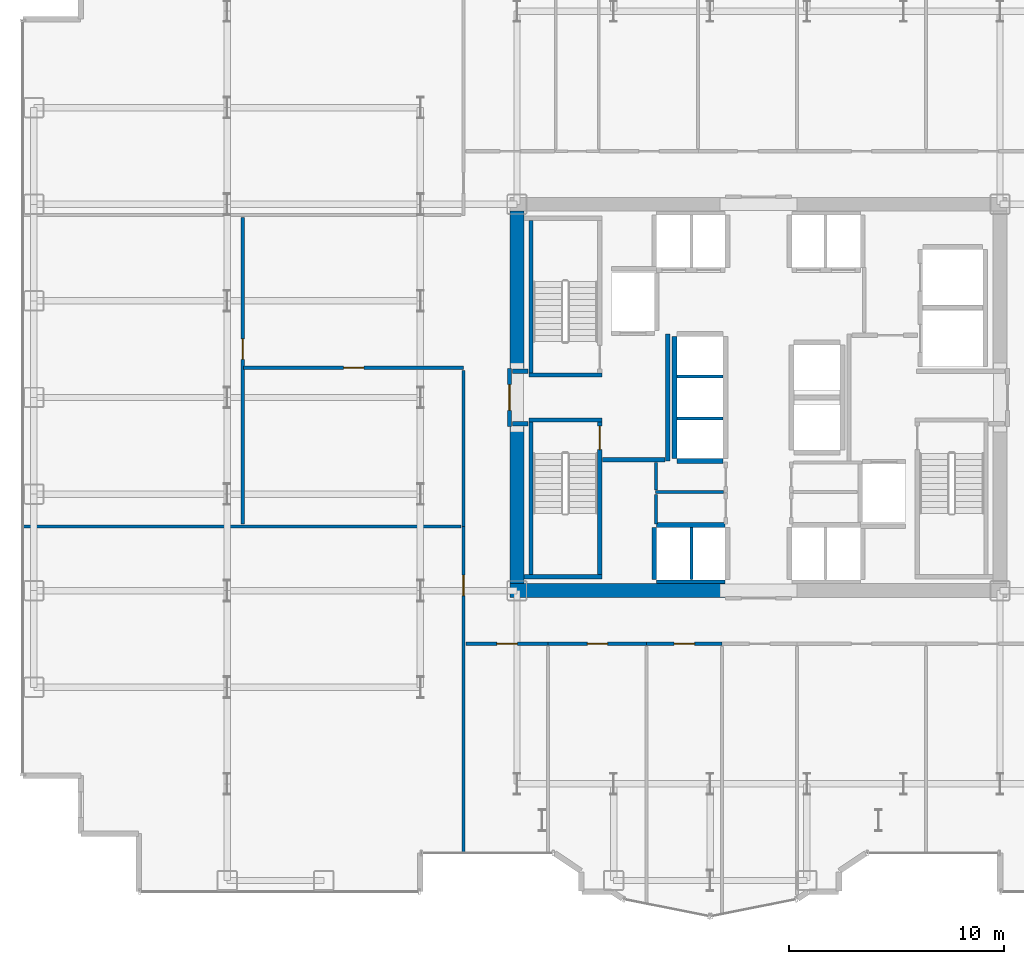
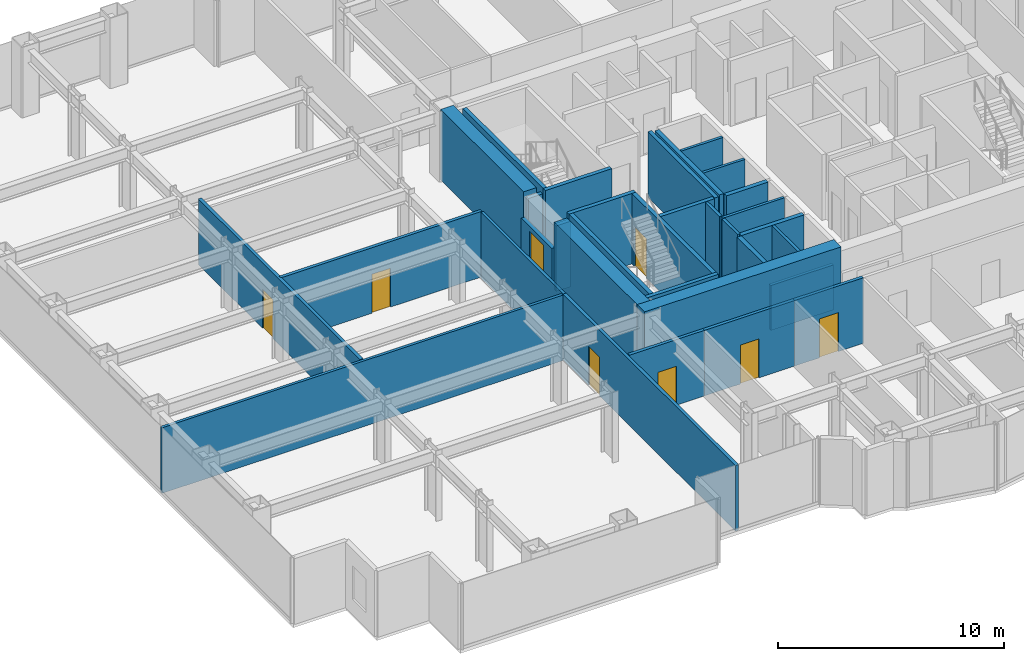
# One storey, part 20 of 26: 33 walls, 8 doors, 8 openings.
"""IFC4 building model written with IfcOpenShell, lengths in metres."""

import ifcopenshell
import ifcopenshell.guid

model = None  # the IFC model being written
_history = None  # IfcOwnerHistory: only IFC2X3 demands one
_inside = {}  # id of a spatial element -> (the spatial element, [elements in it])
_under = {}  # id of a project, library or spatial element -> (it, [spatial elements below it])
_declared = {}  # id of a project -> (the project, [libraries it declares])
_typed = {}  # id of a type object -> (the type object, [elements of that type])
_made_of = {}  # id of a material, layer set ... -> (it, [elements and type objects made of it])


def new_model(schema):
    """Start an empty IFC model of exactly this schema.

    Asked for "IFC4X3", IfcOpenShell would pick the latest addendum, in which some entities
    have other attributes; the version numbers below select the first issue.
    IFC2X3 requires an IfcOwnerHistory on every rooted entity: one is made here for all.
    """
    global model, _history
    if schema == "IFC4X3":
        model = ifcopenshell.file(schema_version=(4, 3, 0, 0))
    else:
        model = ifcopenshell.file(schema=schema)
    _inside.clear()
    _under.clear()
    _declared.clear()
    _typed.clear()
    _made_of.clear()
    _history = None
    if model.schema == "IFC2X3":
        org = make("IfcOrganization", Name="unknown")
        user = make(
            "IfcPersonAndOrganization",
            ThePerson=make("IfcPerson", FamilyName="unknown"),
            TheOrganization=org,
        )
        app = make(
            "IfcApplication",
            ApplicationDeveloper=org,
            Version="unknown",
            ApplicationFullName="unknown",
            ApplicationIdentifier="unknown",
        )
        _history = make(
            "IfcOwnerHistory",
            OwningUser=user,
            OwningApplication=app,
            ChangeAction="ADDED",
            CreationDate=0,
        )
    return model


def make(cls, **values):
    """One entity of the class cls with the attributes given. An attribute that is None is left unset."""
    return model.create_entity(
        cls, **{name: value for name, value in values.items() if value is not None}
    )


def rooted(cls, **values):
    """An entity with a GlobalId (a new one), such as an element, a storey or a relation."""
    return make(cls, GlobalId=ifcopenshell.guid.new(), OwnerHistory=_history, **values)


def si_unit(unit_type, name, prefix=None):
    """IfcSIUnit, for example si_unit("LENGTHUNIT", "METRE", prefix="MILLI")."""
    return make("IfcSIUnit", UnitType=unit_type, Prefix=prefix, Name=name)


def assignment(units):
    """IfcUnitAssignment: the units of a project."""
    return None if units is None else make("IfcUnitAssignment", Units=units)


def point(xyz):
    """IfcCartesianPoint."""
    return None if xyz is None else make("IfcCartesianPoint", Coordinates=xyz)


def direction(xyz):
    """IfcDirection."""
    return None if xyz is None else make("IfcDirection", DirectionRatios=xyz)


def frame(location, z_axis=None, x_axis=None):
    """IfcAxis2Placement3D, a coordinate frame: its origin and axes. An axis left out is left unset."""
    return make(
        "IfcAxis2Placement3D",
        Location=point(location),
        Axis=direction(z_axis),
        RefDirection=direction(x_axis),
    )


def frame_2d(location, x_axis=None):
    """IfcAxis2Placement2D, a coordinate frame in the plane: its origin and x axis."""
    return make(
        "IfcAxis2Placement2D", Location=point(location), RefDirection=direction(x_axis)
    )


def origin():
    """The frame at (0, 0, 0) with its axes left unset."""
    return frame((0.0, 0.0, 0.0))


def place(relative_to, where):
    """IfcLocalPlacement: puts the frame where relative to a parent placement (None: the world)."""
    return make(
        "IfcLocalPlacement", PlacementRelTo=relative_to, RelativePlacement=where
    )


def context(
    kind, dimensions, precision=None, world=None, true_north=None, identifier=None
):
    """IfcGeometricRepresentationContext, for example the 3D "Model" context."""
    return make(
        "IfcGeometricRepresentationContext",
        ContextIdentifier=identifier,
        ContextType=kind,
        CoordinateSpaceDimension=dimensions,
        Precision=precision,
        WorldCoordinateSystem=world,
        TrueNorth=true_north,
    )


def subcontext(parent, identifier, kind, view, scale=None):
    """IfcGeometricRepresentationSubContext, for example "Body" below "Model"."""
    return make(
        "IfcGeometricRepresentationSubContext",
        ContextIdentifier=identifier,
        ContextType=kind,
        ParentContext=parent,
        TargetScale=scale,
        TargetView=view,
    )


def project(units=None, contexts=None):
    """IfcProject with its units and contexts."""
    return rooted(
        "IfcProject",
        Name="project",
        RepresentationContexts=contexts,
        UnitsInContext=assignment(units),
    )


def spatial(cls, under=None, at=None, **own):
    """A site, building, storey or space (cls), placed at a placement, below another one or the project."""
    s = rooted(cls, ObjectPlacement=at, **own)
    if under is not None:
        _under.setdefault(under.id(), (under, []))[1].append(s)
    return s


def profile(cls, at=None, kind="AREA", **sizes):
    """A parametric profile (cls). Its sizes go by their IFC names, for example OverallWidth=200.0."""
    return make(cls, ProfileType=kind, Position=at, **sizes)


def rectangle(**sizes):
    """IfcRectangleProfileDef."""
    return profile("IfcRectangleProfileDef", **sizes)


def extrude(swept, where, along, depth):
    """IfcExtrudedAreaSolid: the profile swept, set in the frame where, extruded along a direction by depth."""
    return make(
        "IfcExtrudedAreaSolid",
        SweptArea=swept,
        Position=where,
        ExtrudedDirection=direction(along),
        Depth=depth,
    )


def shape(context_of_items, identifier, shape_type, items):
    """IfcShapeRepresentation: the items that make up one representation, for example the "Body"."""
    return make(
        "IfcShapeRepresentation",
        ContextOfItems=context_of_items,
        RepresentationIdentifier=identifier,
        RepresentationType=shape_type,
        Items=items,
    )


def source(mapping_origin, context_of_items, identifier, shape_type, items):
    """IfcRepresentationMap: a shape defined once, which mapped items show again and again."""
    return make(
        "IfcRepresentationMap",
        MappingOrigin=mapping_origin,
        MappedRepresentation=shape(context_of_items, identifier, shape_type, items),
    )


def transform(
    local_origin,
    x_axis=None,
    y_axis=None,
    z_axis=None,
    scale=None,
    scale2=None,
    scale3=None,
    uniform=True,
):
    """IfcCartesianTransformationOperator3D, or its non-uniform kind. x_axis, y_axis, z_axis: its Axis1, 2, 3."""
    if uniform:
        return make(
            "IfcCartesianTransformationOperator3D",
            Axis1=direction(x_axis),
            Axis2=direction(y_axis),
            LocalOrigin=point(local_origin),
            Scale=scale,
            Axis3=direction(z_axis),
        )
    return make(
        "IfcCartesianTransformationOperator3DnonUniform",
        Axis1=direction(x_axis),
        Axis2=direction(y_axis),
        LocalOrigin=point(local_origin),
        Scale=scale,
        Axis3=direction(z_axis),
        Scale2=scale2,
        Scale3=scale3,
    )


def mapped(mapping_source, mapping_target):
    """IfcMappedItem: shows the shape of a source again, moved by a transform."""
    return make(
        "IfcMappedItem", MappingSource=mapping_source, MappingTarget=mapping_target
    )


def material(Name=None, Category=None):
    """IfcMaterial."""
    return make("IfcMaterial", Name=Name, Category=Category)


def layer(
    of_material, thickness, ventilated=None, Name=None, Category=None, Priority=None
):
    """IfcMaterialLayer: one layer of a wall or slab, of a material (None: an air gap)."""
    return make(
        "IfcMaterialLayer",
        Material=of_material,
        LayerThickness=thickness,
        IsVentilated=ventilated,
        Name=Name,
        Category=Category,
        Priority=Priority,
    )


def layer_set(layers, Name=None):
    """IfcMaterialLayerSet."""
    return make("IfcMaterialLayerSet", MaterialLayers=layers, LayerSetName=Name)


def made_of(thing, what):
    """Note that an element or type object is made of a material, layer set ...; save() writes the relation."""
    if what is not None:
        _made_of.setdefault(what.id(), (what, []))[1].append(thing)
    return thing


def type_object(cls, material=None, **own):
    """A type object (cls), such as IfcWallType, which elements share."""
    return made_of(rooted(cls, **own), material)


def element(
    cls,
    number,
    at=None,
    inside=None,
    cuts=None,
    type_object=None,
    material=None,
    context=None,
    identifier="Body",
    shape_type=None,
    held_by="IfcProductDefinitionShape",
    body=None,
    shapes=None,
    **own,
):
    """One element of the class cls, such as IfcWall. Its Tag is "e" and its number.

    at: its placement. inside: the storey or other place that contains it. cuts: it is an
    opening in that element (IfcRelVoidsElement). A single representation is given by context,
    identifier, shape_type and body (its items); several are given by shapes. held_by: the class
    of the entity that holds the representations. save() writes the other relations.
    """
    e = rooted(cls, Tag="e%d" % number, ObjectPlacement=at, **own)
    if body is not None:
        shapes = [shape(context, identifier, shape_type, body)]
    if shapes is not None:
        e.Representation = make(held_by, Representations=shapes)
    if inside is not None:
        _inside.setdefault(inside.id(), (inside, []))[1].append(e)
    if cuts is not None:
        rooted(
            "IfcRelVoidsElement", RelatingBuildingElement=cuts, RelatedOpeningElement=e
        )
    if type_object is not None:
        _typed.setdefault(type_object.id(), (type_object, []))[1].append(e)
    return made_of(e, material)


def fill(opening, filler):
    """IfcRelFillsElement: the door or window that sits in an opening."""
    return rooted(
        "IfcRelFillsElement",
        RelatingOpeningElement=opening,
        RelatedBuildingElement=filler,
    )


def aggregate(whole, parts):
    """IfcRelAggregates: a whole, such as a stair, and the parts it consists of."""
    return rooted("IfcRelAggregates", RelatingObject=whole, RelatedObjects=parts)


def save(model, path):
    """Write the relations noted so far, then the file.

    IfcRelAggregates (storeys below a building ...), IfcRelContainedInSpatialStructure (elements
    in a storey), IfcRelDefinesByType, IfcRelAssociatesMaterial and IfcRelDeclares: one each for
    every whole, place, type object, material and project.
    """
    for whole, parts in _under.values():
        aggregate(whole, parts)
    for where, things in _inside.values():
        rooted(
            "IfcRelContainedInSpatialStructure",
            RelatedElements=things,
            RelatingStructure=where,
        )
    for kind, things in _typed.values():
        rooted("IfcRelDefinesByType", RelatedObjects=things, RelatingType=kind)
    for what, things in _made_of.values():
        rooted("IfcRelAssociatesMaterial", RelatedObjects=things, RelatingMaterial=what)
    for by, libraries in _declared.values():
        rooted("IfcRelDeclares", RelatingContext=by, RelatedDefinitions=libraries)
    model.write(path)


model = new_model("IFC4")

# Units and contexts
model_context = context("Model", 3, precision=1e-05, world=origin(), true_north=direction((0.0, 1.0)))
body_context = subcontext(model_context, "Body", "Model", "MODEL_VIEW")
ifc_project = project(units=[si_unit("LENGTHUNIT", "METRE"), si_unit("AREAUNIT", "SQUARE_METRE"), si_unit("VOLUMEUNIT", "CUBIC_METRE"), si_unit("PLANEANGLEUNIT", "RADIAN"), si_unit("MASSUNIT", "GRAM", prefix="KILO")], contexts=[model_context])

# Site, building, storey
site_placement = place(None, origin())
site = spatial("IfcSite", under=ifc_project, at=site_placement, CompositionType="ELEMENT")
building_placement = place(site_placement, origin())
building = spatial("IfcBuilding", under=site, at=building_placement, Name="Nefas-Gora Pilgrimage Tower", CompositionType="ELEMENT")
storey_placement = place(building_placement, frame((0.0, 0.0, 59.60009765625)))
storey = spatial("IfcBuildingStorey", under=building, at=storey_placement, Name="L13", CompositionType="ELEMENT", Elevation=59.60009765625)

# Walls
ifc_material_1 = material(Name="Concrete C60/75", Category="concrete")
ifc_layer_1 = layer(ifc_material_1, 0.64990234375)
ifc_layer_set_1 = layer_set([ifc_layer_1], Name="Concrete C60/75")
wall_type_1 = type_object("IfcWallType", Name="SW-CORE-650", PredefinedType="SHEAR", material=ifc_layer_set_1)
shared_shape_1 = source(origin(), body_context, "Body", "SweptSolid", [
    extrude(rectangle(XDim=10.02490234375, YDim=0.64990234375, at=frame_2d((5.012451171875, 0.0))), origin(), (0.0, 0.0, 1.0), 3.7998046875),
])
wall_1_placement = place(storey_placement, frame((-11.574951171875, -9.0, 0.0), z_axis=(0.0, 0.0, 1.0), x_axis=(1.0, 0.0, 0.0)))
element("IfcWall", 1, at=wall_1_placement, inside=storey, type_object=wall_type_1, Name="L13 Core Shear Wall S-West", PredefinedType="SHEAR", context=body_context, shape_type="MappedRepresentation", body=[
    mapped(shared_shape_1, transform((0.0, 0.0, 0.0), x_axis=(1.0, 0.0, 0.0), y_axis=(0.0, 1.0, 0.0), z_axis=(0.0, 0.0, 1.0), scale=1.0)),
])
shared_shape_2 = source(origin(), body_context, "Body", "SweptSolid", [
    extrude(rectangle(XDim=7.324951171875, YDim=0.64990234375, at=frame_2d((3.66259765625, 0.0))), origin(), (0.0, 0.0, 1.0), 3.7998046875),
])
for number, where, z_axis, x_axis, name in (
    (2, (-11.25, -8.675048828125, 0.0), (0.0, 0.0, 1.0), (0.0, 1.0, 0.0), "L13 Core Shear Wall W-South"),
    (3, (-11.25, 1.35009765625, 0.0), (0.0, 0.0, 1.0), (0.0, 1.0, 0.0), "L13 Core Shear Wall W-North"),
):
    element("IfcWall", number, at=place(storey_placement, frame(where, z_axis=z_axis, x_axis=x_axis)), inside=storey, type_object=wall_type_1, Name=name, PredefinedType="SHEAR", context=body_context, shape_type="MappedRepresentation", body=[
        mapped(shared_shape_2, transform((0.0, 0.0, 0.0), x_axis=(1.0, 0.0, 0.0), y_axis=(0.0, 1.0, 0.0), z_axis=(0.0, 0.0, 1.0), scale=1.0)),
    ])
ifc_material_2 = material(Name="Concrete C45/55", Category="concrete")
ifc_layer_2 = layer(ifc_material_2, 0.199951171875)
ifc_layer_set_2 = layer_set([ifc_layer_2], Name="Concrete C45/55")
wall_type_2 = type_object("IfcWallType", Name="IW-STAIR-200", PredefinedType="SOLIDWALL", material=ifc_layer_set_2)
shared_shape_3 = source(origin(), body_context, "Body", "SweptSolid", [
    extrude(rectangle(XDim=3.39990234375, YDim=0.199951171875, at=frame_2d((1.699951171875, 0.0))), origin(), (0.0, 0.0, 1.0), 3.7998046875),
])
for number, where, z_axis, x_axis, name in (
    (4, (-7.300048828125, 1.050048828125, 0.0), (0.0, 0.0, 1.0), (-1.0, 0.0, 0.0), "L13 Stairwell Shear Wall ST-01-near"),
    (5, (-10.699951171875, -1.050048828125, 0.0), (0.0, 0.0, 1.0), (1.0, 0.0, 0.0), "L13 Stairwell Shear Wall ST-03-near"),
):
    element("IfcWall", number, at=place(storey_placement, frame(where, z_axis=z_axis, x_axis=x_axis)), inside=storey, type_object=wall_type_2, Name=name, PredefinedType="SOLIDWALL", context=body_context, shape_type="MappedRepresentation", body=[
        mapped(shared_shape_3, transform((0.0, 0.0, 0.0), x_axis=(1.0, 0.0, 0.0), y_axis=(0.0, 1.0, 0.0), z_axis=(0.0, 0.0, 1.0), scale=1.0)),
    ])
shared_shape_4 = source(origin(), body_context, "Body", "SweptSolid", [
    extrude(rectangle(XDim=3.6298828125, YDim=0.199951171875, at=frame_2d((1.81494140625, 0.0))), origin(), (0.0, 0.0, 1.0), 3.7998046875),
])
wall_2_placement = place(storey_placement, frame((-10.929931640625, -8.35009765625, 0.0), z_axis=(0.0, 0.0, 1.0), x_axis=(1.0, 0.0, 0.0)))
element("IfcWall", 6, at=wall_2_placement, inside=storey, type_object=wall_type_2, Name="L13 Stairwell Shear Wall ST-03-far", PredefinedType="SOLIDWALL", context=body_context, shape_type="MappedRepresentation", body=[
    mapped(shared_shape_4, transform((0.0, 0.0, 0.0), x_axis=(1.0, 0.0, 0.0), y_axis=(0.0, 1.0, 0.0), z_axis=(0.0, 0.0, 1.0), scale=1.0)),
])
shared_shape_5 = source(origin(), body_context, "Body", "SweptSolid", [
    extrude(rectangle(XDim=7.10009765625, YDim=0.199951171875, at=frame_2d((3.550048828125, 0.0))), origin(), (0.0, 0.0, 1.0), 3.7998046875),
])
for number, where, z_axis, x_axis, name in (
    (7, (-10.60009765625, 1.14990234375, 0.0), (0.0, 0.0, 1.0), (0.0, 1.0, 0.0), "L13 Stairwell Shear Wall ST-01-right"),
    (8, (-10.60009765625, -1.14990234375, 0.0), (0.0, 0.0, 1.0), (0.0, -1.0, 0.0), "L13 Stairwell Shear Wall ST-03-left"),
):
    element("IfcWall", number, at=place(storey_placement, frame(where, z_axis=z_axis, x_axis=x_axis)), inside=storey, type_object=wall_type_2, Name=name, PredefinedType="SOLIDWALL", context=body_context, shape_type="MappedRepresentation", body=[
        mapped(shared_shape_5, transform((0.0, 0.0, 0.0), x_axis=(1.0, 0.0, 0.0), y_axis=(0.0, 1.0, 0.0), z_axis=(0.0, 0.0, 1.0), scale=1.0)),
    ])

# Wall, opening, door
wall_3_placement = place(storey_placement, frame((-7.39990234375, -1.14990234375, 0.0), z_axis=(0.0, 0.0, 1.0), x_axis=(0.0, -1.0, 0.0)))
wall_3 = element("IfcWall", 9, at=wall_3_placement, inside=storey, type_object=wall_type_2, Name="L13 Stairwell Shear Wall ST-03-right", PredefinedType="SOLIDWALL", context=body_context, shape_type="MappedRepresentation", body=[
    mapped(shared_shape_5, transform((0.0, 0.0, 0.0), x_axis=(1.0, 0.0, 0.0), y_axis=(0.0, 1.0, 0.0), z_axis=(0.0, 0.0, 1.0), scale=1.0)),
])
opening_1_placement = place(wall_3_placement, frame((0.179931640625, 0.0, 0.0)))
opening_1 = element("IfcOpeningElement", 10, at=opening_1_placement, cuts=wall_3, Name="Opening ID-ST1", PredefinedType="OPENING", context=body_context, shape_type="SweptSolid", body=[
    extrude(rectangle(XDim=1.10009765625, YDim=2.14990234375, at=frame_2d((0.550048828125, 1.074951171875))), frame((0.0, 0.10986328125, 0.0), z_axis=(0.0, -1.0, 0.0), x_axis=(1.0, 0.0, 0.0)), (0.0, 0.0, 1.0), 0.219970703125),
])
ifc_material_3 = material(Name="Painted galvanised steel fire stair door", Category="steel")
door_type_1 = type_object("IfcDoorType", Name="DR-INT-STAIR-1100", OperationType="NOTDEFINED", PredefinedType="DOOR", material=ifc_material_3)
shared_shape_6 = source(origin(), body_context, "Body", "SweptSolid", [
    extrude(rectangle(XDim=1.10009765625, YDim=2.14990234375, at=frame_2d((0.550048828125, 1.074951171875))), frame((0.0, 0.02490234375, 0.0), z_axis=(0.0, -1.0, 0.0), x_axis=(1.0, 0.0, 0.0)), (0.0, 0.0, 1.0), 0.050048828125),
])
door_1_placement = place(opening_1_placement, origin())
door_1 = element("IfcDoor", 11, at=door_1_placement, inside=storey, type_object=door_type_1, Name="L13 Protected Exit Stair Door ST-03", OperationType="SINGLE_SWING_LEFT", OverallHeight=2.14990234375, OverallWidth=1.10009765625, PredefinedType="DOOR", context=body_context, shape_type="MappedRepresentation", body=[
    mapped(shared_shape_6, transform((0.0, 0.0, 0.0), x_axis=(1.0, 0.0, 0.0), y_axis=(0.0, 1.0, 0.0), z_axis=(0.0, 0.0, 1.0), scale=1.0)),
])
fill(opening_1, door_1)

# Walls
ifc_material_4 = material(Name="Concrete C40/50", Category="concrete")
ifc_layer_3 = layer(ifc_material_4, 0.219970703125)
ifc_layer_set_3 = layer_set([ifc_layer_3], Name="Concrete C40/50")
wall_type_3 = type_object("IfcWallType", Name="IW-SHAFT-220", PredefinedType="SOLIDWALL", material=ifc_layer_set_3)
shared_shape_7 = source(origin(), body_context, "Body", "SweptSolid", [
    extrude(rectangle(XDim=3.199951171875, YDim=0.219970703125, at=frame_2d((1.60009765625, 0.0))), origin(), (0.0, 0.0, 1.0), 3.534912109375),
])
wall_4_placement = place(storey_placement, frame((-1.550048828125, -5.93994140625, 0.0), z_axis=(0.0, 0.0, 1.0), x_axis=(-1.0, 0.0, 0.0)))
element("IfcWall", 12, at=wall_4_placement, inside=storey, type_object=wall_type_3, Name="L13 Hoistway Wall PL2-W-N", PredefinedType="SOLIDWALL", context=body_context, shape_type="MappedRepresentation", body=[
    mapped(shared_shape_7, transform((0.0, 0.0, 0.0), x_axis=(1.0, 0.0, 0.0), y_axis=(0.0, 1.0, 0.0), z_axis=(0.0, 0.0, 1.0), scale=1.0)),
])
shared_shape_8 = source(origin(), body_context, "Body", "SweptSolid", [
    extrude(rectangle(XDim=2.429931640625, YDim=0.219970703125, at=frame_2d((1.21484375, 0.0))), origin(), (0.0, 0.0, 1.0), 3.534912109375),
])
wall_5_placement = place(storey_placement, frame((-4.860107421875, -6.06005859375, 0.0), z_axis=(0.0, 0.0, 1.0), x_axis=(0.0, -1.0, 0.0)))
element("IfcWall", 13, at=wall_5_placement, inside=storey, type_object=wall_type_3, Name="L13 Hoistway Wall PL2-W-W", PredefinedType="SOLIDWALL", context=body_context, shape_type="MappedRepresentation", body=[
    mapped(shared_shape_8, transform((0.0, 0.0, 0.0), x_axis=(1.0, 0.0, 0.0), y_axis=(0.0, 1.0, 0.0), z_axis=(0.0, 0.0, 1.0), scale=1.0)),
])
ifc_material_5 = material(Name="Gypsum twin-stud partition")
ifc_layer_4 = layer(ifc_material_5, 0.139892578125)
ifc_layer_set_4 = layer_set([ifc_layer_4], Name="Gypsum twin-stud partition")
wall_type_4 = type_object("IfcWallType", Name="IW-UNIT-140", PredefinedType="PARTITIONING", material=ifc_layer_set_4)
shared_shape_9 = source(origin(), body_context, "Body", "SweptSolid", [
    extrude(rectangle(XDim=2.429931640625, YDim=0.139892578125, at=frame_2d((1.21484375, 0.0))), origin(), (0.0, 0.0, 1.0), 3.534912109375),
])
wall_6_placement = place(storey_placement, frame((-3.125, -8.489990234375, 0.0), z_axis=(0.0, 0.0, 1.0), x_axis=(0.0, 1.0, 0.0)))
element("IfcWall", 14, at=wall_6_placement, inside=storey, type_object=wall_type_4, Name="L13 Hoistway Wall PL2-W-DIV", PredefinedType="PARTITIONING", context=body_context, shape_type="MappedRepresentation", body=[
    mapped(shared_shape_9, transform((0.0, 0.0, 0.0), x_axis=(1.0, 0.0, 0.0), y_axis=(0.0, 1.0, 0.0), z_axis=(0.0, 0.0, 1.0), scale=1.0)),
])
shared_shape_10 = source(origin(), body_context, "Body", "SweptSolid", [
    extrude(rectangle(XDim=5.7001953125, YDim=0.219970703125, at=frame_2d((2.85009765625, 0.0))), origin(), (0.0, 0.0, 1.0), 3.534912109375),
])
wall_7_placement = place(storey_placement, frame((-3.909912109375, 2.85009765625, 0.0), z_axis=(0.0, 0.0, 1.0), x_axis=(0.0, -1.0, 0.0)))
element("IfcWall", 15, at=wall_7_placement, inside=storey, type_object=wall_type_3, Name="L13 Hoistway Wall PL3-01-03-W", PredefinedType="SOLIDWALL", context=body_context, shape_type="MappedRepresentation", body=[
    mapped(shared_shape_10, transform((0.0, 0.0, 0.0), x_axis=(1.0, 0.0, 0.0), y_axis=(0.0, 1.0, 0.0), z_axis=(0.0, 0.0, 1.0), scale=1.0)),
])
shared_shape_11 = source(origin(), body_context, "Body", "SweptSolid", [
    extrude(rectangle(XDim=2.130126953125, YDim=0.219970703125, at=frame_2d((1.06494140625, 0.0))), origin(), (0.0, 0.0, 1.0), 3.534912109375),
])
wall_8_placement = place(storey_placement, frame((-3.7900390625, -2.9599609375, 0.0), z_axis=(0.0, 0.0, 1.0), x_axis=(1.0, 0.0, 0.0)))
element("IfcWall", 16, at=wall_8_placement, inside=storey, type_object=wall_type_3, Name="L13 Hoistway Wall PL3-01-S", PredefinedType="SOLIDWALL", context=body_context, shape_type="MappedRepresentation", body=[
    mapped(shared_shape_11, transform((0.0, 0.0, 0.0), x_axis=(1.0, 0.0, 0.0), y_axis=(0.0, 1.0, 0.0), z_axis=(0.0, 0.0, 1.0), scale=1.0)),
])
shared_shape_12 = source(origin(), body_context, "Body", "SweptSolid", [
    extrude(rectangle(XDim=2.130126953125, YDim=0.139892578125, at=frame_2d((1.06494140625, 0.0))), origin(), (0.0, 0.0, 1.0), 3.534912109375),
])
for number, where, z_axis, x_axis, name in (
    (17, (-3.7900390625, -0.97509765625, 0.0), (0.0, 0.0, 1.0), (1.0, 0.0, 0.0), "L13 Hoistway Wall PL3-01-02-DIV"),
    (18, (-3.7900390625, 0.97509765625, 0.0), (0.0, 0.0, 1.0), (1.0, 0.0, 0.0), "L13 Hoistway Wall PL3-02-03-DIV"),
):
    element("IfcWall", number, at=place(storey_placement, frame(where, z_axis=z_axis, x_axis=x_axis)), inside=storey, type_object=wall_type_4, Name=name, PredefinedType="PARTITIONING", context=body_context, shape_type="MappedRepresentation", body=[
        mapped(shared_shape_12, transform((0.0, 0.0, 0.0), x_axis=(1.0, 0.0, 0.0), y_axis=(0.0, 1.0, 0.0), z_axis=(0.0, 0.0, 1.0), scale=1.0)),
    ])
ifc_material_6 = material(Name="Gypsum acoustic stud partition")
ifc_layer_5 = layer(ifc_material_6, 0.159912109375)
ifc_layer_set_5 = layer_set([ifc_layer_5], Name="Gypsum acoustic stud partition")
wall_type_5 = type_object("IfcWallType", Name="IW-CORR-160", PredefinedType="PARTITIONING", material=ifc_layer_set_5)
shared_shape_13 = source(origin(), body_context, "Body", "SweptSolid", [
    extrude(rectangle(XDim=3.199951171875, YDim=0.159912109375, at=frame_2d((1.60009765625, 0.0))), origin(), (0.0, 0.0, 1.0), 2.4248046875),
])
wall_9_placement = place(storey_placement, frame((-4.75, -8.580078125, 0.0), z_axis=(0.0, 0.0, 1.0), x_axis=(1.0, 0.0, 0.0)))
element("IfcWall", 19, at=wall_9_placement, inside=storey, type_object=wall_type_5, Name="L13 Hoistway Wall PL2-W-S", PredefinedType="PARTITIONING", context=body_context, shape_type="MappedRepresentation", body=[
    mapped(shared_shape_13, transform((0.0, 0.0, 0.0), x_axis=(1.0, 0.0, 0.0), y_axis=(0.0, 1.0, 0.0), z_axis=(0.0, 0.0, 1.0), scale=1.0)),
])
ifc_material_7 = material(Name="Gypsum fire-rated shaftwall")
ifc_layer_6 = layer(ifc_material_7, 0.199951171875)
ifc_layer_set_6 = layer_set([ifc_layer_6], Name="Gypsum fire-rated shaftwall")
wall_type_6 = type_object("IfcWallType", Name="IW-FFLOB-200", PredefinedType="PARTITIONING", material=ifc_layer_set_6)
shared_shape_14 = source(origin(), body_context, "Body", "SweptSolid", [
    extrude(rectangle(XDim=5.89990234375, YDim=0.199951171875, at=frame_2d((2.949951171875, 0.0))), origin(), (0.0, 0.0, 1.0), 3.534912109375),
])
wall_10_placement = place(storey_placement, frame((-4.219970703125, -2.949951171875, 0.0), z_axis=(0.0, 0.0, 1.0), x_axis=(0.0, 1.0, 0.0)))
element("IfcWall", 20, at=wall_10_placement, inside=storey, type_object=wall_type_6, Name="L13 FF Lobby West Inner Wall Wall 4", PredefinedType="PARTITIONING", context=body_context, shape_type="MappedRepresentation", body=[
    mapped(shared_shape_14, transform((0.0, 0.0, 0.0), x_axis=(1.0, 0.0, 0.0), y_axis=(0.0, 1.0, 0.0), z_axis=(0.0, 0.0, 1.0), scale=1.0)),
])
shared_shape_15 = source(origin(), body_context, "Body", "SweptSolid", [
    extrude(rectangle(XDim=2.89990234375, YDim=0.199951171875, at=frame_2d((1.449951171875, 0.0))), origin(), (0.0, 0.0, 1.0), 3.534912109375),
])
wall_11_placement = place(storey_placement, frame((-7.260009765625, -2.89990234375, 0.0), z_axis=(0.0, 0.0, 1.0), x_axis=(1.0, 0.0, 0.0)))
element("IfcWall", 21, at=wall_11_placement, inside=storey, type_object=wall_type_6, Name="L13 FF Lobby West South Wall Wall 5", PredefinedType="PARTITIONING", context=body_context, shape_type="MappedRepresentation", body=[
    mapped(shared_shape_15, transform((0.0, 0.0, 0.0), x_axis=(1.0, 0.0, 0.0), y_axis=(0.0, 1.0, 0.0), z_axis=(0.0, 0.0, 1.0), scale=1.0)),
])
shared_shape_16 = source(origin(), body_context, "Body", "SweptSolid", [
    extrude(rectangle(XDim=0.719970703125, YDim=0.199951171875, at=frame_2d((0.35986328125, 0.0))), origin(), (0.0, 0.0, 1.0), 3.534912109375),
])
for number, where, z_axis, x_axis, name in (
    (22, (-11.4599609375, 1.219970703125, 0.0), (0.0, 0.0, 1.0), (1.0, 0.0, 0.0), "L13 FF Lobby West Throat N Wall 6"),
    (23, (-11.4599609375, -1.219970703125, 0.0), (0.0, 0.0, 1.0), (1.0, 0.0, 0.0), "L13 FF Lobby West Throat S Wall 7"),
):
    element("IfcWall", number, at=place(storey_placement, frame(where, z_axis=z_axis, x_axis=x_axis)), inside=storey, type_object=wall_type_6, Name=name, PredefinedType="PARTITIONING", context=body_context, shape_type="MappedRepresentation", body=[
        mapped(shared_shape_16, transform((0.0, 0.0, 0.0), x_axis=(1.0, 0.0, 0.0), y_axis=(0.0, 1.0, 0.0), z_axis=(0.0, 0.0, 1.0), scale=1.0)),
    ])

# Wall, opening, door
shared_shape_17 = source(origin(), body_context, "Body", "SweptSolid", [
    extrude(rectangle(XDim=10.25, YDim=0.159912109375, at=frame_2d((5.125, 0.0))), origin(), (0.0, 0.0, 1.0), 3.534912109375),
])
wall_12_placement = place(storey_placement, frame((-23.97998046875, 1.3798828125, 0.0), z_axis=(0.0, 0.0, 1.0), x_axis=(1.0, 0.0, 0.0)))
wall_12 = element("IfcWall", 24, at=wall_12_placement, inside=storey, type_object=wall_type_5, Name="L13 Pilgrim Tea and Beverage Pantry Partition Wall 32", PredefinedType="PARTITIONING", context=body_context, shape_type="MappedRepresentation", body=[
    mapped(shared_shape_17, transform((0.0, 0.0, 0.0), x_axis=(1.0, 0.0, 0.0), y_axis=(0.0, 1.0, 0.0), z_axis=(0.0, 0.0, 1.0), scale=1.0)),
])
opening_2_placement = place(wall_12_placement, frame((4.64990234375, 0.0, 0.0)))
opening_2 = element("IfcOpeningElement", 25, at=opening_2_placement, cuts=wall_12, Name="Opening ID-GR1", PredefinedType="OPENING", context=body_context, shape_type="SweptSolid", body=[
    extrude(rectangle(XDim=0.949951171875, YDim=2.10009765625, at=frame_2d((0.47509765625, 1.050048828125))), frame((0.0, 0.08984375, 0.0), z_axis=(0.0, -1.0, 0.0), x_axis=(1.0, 0.0, 0.0)), (0.0, 0.0, 1.0), 0.179931640625),
])
ifc_material_8 = material(Name="Solid core oak fire-rated guest entrance door")
door_type_2 = type_object("IfcDoorType", Name="DR-INT-GUEST-950", OperationType="NOTDEFINED", PredefinedType="DOOR", material=ifc_material_8)
shared_shape_18 = source(origin(), body_context, "Body", "SweptSolid", [
    extrude(rectangle(XDim=0.949951171875, YDim=2.10009765625, at=frame_2d((0.47509765625, 1.050048828125))), frame((0.0, 0.02490234375, 0.0), z_axis=(0.0, -1.0, 0.0), x_axis=(1.0, 0.0, 0.0)), (0.0, 0.0, 1.0), 0.050048828125),
])
door_2_placement = place(opening_2_placement, origin())
door_2 = element("IfcDoor", 26, at=door_2_placement, inside=storey, type_object=door_type_2, Name="L13 Pilgrim Tea and Beverage Pantry Door 13", OperationType="SINGLE_SWING_LEFT", OverallHeight=2.10009765625, OverallWidth=0.949951171875, PredefinedType="DOOR", context=body_context, shape_type="MappedRepresentation", body=[
    mapped(shared_shape_18, transform((0.0, 0.0, 0.0), x_axis=(1.0, 0.0, 0.0), y_axis=(0.0, 1.0, 0.0), z_axis=(0.0, 0.0, 1.0), scale=1.0)),
])
fill(opening_2, door_2)

# Wall
shared_shape_19 = source(origin(), body_context, "Body", "SweptSolid", [
    extrude(rectangle(XDim=20.429931640625, YDim=0.139892578125, at=frame_2d((10.21484375, 0.0))), origin(), (0.0, 0.0, 1.0), 3.534912109375),
])
wall_13_placement = place(storey_placement, frame((-34.2900390625, -6.0048828125, 0.0), z_axis=(0.0, 0.0, 1.0), x_axis=(1.0, 0.0, 0.0)))
element("IfcWall", 27, at=wall_13_placement, inside=storey, type_object=wall_type_4, Name="L13 Pilgrim Tea and Beverage Pantry Partition Wall 29", PredefinedType="PARTITIONING", context=body_context, shape_type="MappedRepresentation", body=[
    mapped(shared_shape_19, transform((0.0, 0.0, 0.0), x_axis=(1.0, 0.0, 0.0), y_axis=(0.0, 1.0, 0.0), z_axis=(0.0, 0.0, 1.0), scale=1.0)),
])

# Wall, opening, door
shared_shape_20 = source(origin(), body_context, "Body", "SweptSolid", [
    extrude(rectangle(XDim=2.7001953125, YDim=0.199951171875, at=frame_2d((1.35009765625, 0.0))), origin(), (0.0, 0.0, 1.0), 2.4248046875),
])
wall_14_placement = place(storey_placement, frame((-11.60009765625, -1.35009765625, 0.0), z_axis=(0.0, 0.0, 1.0), x_axis=(0.0, 1.0, 0.0)))
wall_14 = element("IfcWall", 28, at=wall_14_placement, inside=storey, type_object=wall_type_6, Name="L13 FF Lobby West Portal Wall 3", PredefinedType="PARTITIONING", context=body_context, shape_type="MappedRepresentation", body=[
    mapped(shared_shape_20, transform((0.0, 0.0, 0.0), x_axis=(1.0, 0.0, 0.0), y_axis=(0.0, 1.0, 0.0), z_axis=(0.0, 0.0, 1.0), scale=1.0)),
])
opening_3_placement = place(wall_14_placement, frame((0.75, 0.0, 0.0)))
opening_3 = element("IfcOpeningElement", 29, at=opening_3_placement, cuts=wall_14, Name="Opening ID-FF1", PredefinedType="OPENING", context=body_context, shape_type="SweptSolid", body=[
    extrude(rectangle(XDim=1.199951171875, YDim=2.14990234375, at=frame_2d((0.60009765625, 1.074951171875))), frame((0.0, 0.10986328125, 0.0), z_axis=(0.0, -1.0, 0.0), x_axis=(1.0, 0.0, 0.0)), (0.0, 0.0, 1.0), 0.219970703125),
])
ifc_material_9 = material(Name="Smoke-sealed steel firefighting lobby door", Category="steel")
door_type_3 = type_object("IfcDoorType", Name="DR-INT-FFLOB-1200", OperationType="NOTDEFINED", PredefinedType="DOOR", material=ifc_material_9)
shared_shape_21 = source(origin(), body_context, "Body", "SweptSolid", [
    extrude(rectangle(XDim=1.199951171875, YDim=2.14990234375, at=frame_2d((0.60009765625, 1.074951171875))), frame((0.0, 0.02490234375, 0.0), z_axis=(0.0, -1.0, 0.0), x_axis=(1.0, 0.0, 0.0)), (0.0, 0.0, 1.0), 0.050048828125),
])
door_3_placement = place(opening_3_placement, origin())
door_3 = element("IfcDoor", 30, at=door_3_placement, inside=storey, type_object=door_type_3, Name="L13 FF Lobby West Portal Door 1", OperationType="SINGLE_SWING_LEFT", OverallHeight=2.14990234375, OverallWidth=1.199951171875, PredefinedType="DOOR", context=body_context, shape_type="MappedRepresentation", body=[
    mapped(shared_shape_21, transform((0.0, 0.0, 0.0), x_axis=(1.0, 0.0, 0.0), y_axis=(0.0, 1.0, 0.0), z_axis=(0.0, 0.0, 1.0), scale=1.0)),
])
fill(opening_3, door_3)

# Walls
shared_shape_22 = source(origin(), body_context, "Body", "SweptSolid", [
    extrude(rectangle(XDim=3.150146484375, YDim=0.139892578125, at=frame_2d((1.5751953125, 0.0))), origin(), (0.0, 0.0, 1.0), 3.534912109375),
])
wall_15_placement = place(storey_placement, frame((-4.7900390625, -4.409912109375, 0.0), z_axis=(0.0, 0.0, 1.0), x_axis=(1.0, 0.0, 0.0)))
element("IfcWall", 31, at=wall_15_placement, inside=storey, type_object=wall_type_4, Name="L13 Housekeeping and Linen Store Partition Wall 17", PredefinedType="PARTITIONING", context=body_context, shape_type="MappedRepresentation", body=[
    mapped(shared_shape_22, transform((0.0, 0.0, 0.0), x_axis=(1.0, 0.0, 0.0), y_axis=(0.0, 1.0, 0.0), z_axis=(0.0, 0.0, 1.0), scale=1.0)),
])
shared_shape_23 = source(origin(), body_context, "Body", "SweptSolid", [
    extrude(rectangle(XDim=1.260009765625, YDim=0.139892578125, at=frame_2d((0.6298828125, 0.0))), origin(), (0.0, 0.0, 1.0), 3.534912109375),
])
wall_16_placement = place(storey_placement, frame((-4.780029296875, -4.300048828125, 0.0), z_axis=(0.0, 0.0, 1.0), x_axis=(0.0, 1.0, 0.0)))
element("IfcWall", 32, at=wall_16_placement, inside=storey, type_object=wall_type_4, Name="L13 Housekeeping and Linen Store Partition Wall 18", PredefinedType="PARTITIONING", context=body_context, shape_type="MappedRepresentation", body=[
    mapped(shared_shape_23, transform((0.0, 0.0, 0.0), x_axis=(1.0, 0.0, 0.0), y_axis=(0.0, 1.0, 0.0), z_axis=(0.0, 0.0, 1.0), scale=1.0)),
])
shared_shape_24 = source(origin(), body_context, "Body", "SweptSolid", [
    extrude(rectangle(XDim=1.369873046875, YDim=0.139892578125, at=frame_2d((0.68505859375, 0.0))), origin(), (0.0, 0.0, 1.0), 3.534912109375),
])
wall_17_placement = place(storey_placement, frame((-4.780029296875, -5.889892578125, 0.0), z_axis=(0.0, 0.0, 1.0), x_axis=(0.0, 1.0, 0.0)))
element("IfcWall", 33, at=wall_17_placement, inside=storey, type_object=wall_type_4, Name="L13 Guest Self-Service Laundry Room Partition Wall 20", PredefinedType="PARTITIONING", context=body_context, shape_type="MappedRepresentation", body=[
    mapped(shared_shape_24, transform((0.0, 0.0, 0.0), x_axis=(1.0, 0.0, 0.0), y_axis=(0.0, 1.0, 0.0), z_axis=(0.0, 0.0, 1.0), scale=1.0)),
])

# Wall, opening, door
shared_shape_25 = source(origin(), body_context, "Body", "SweptSolid", [
    extrude(rectangle(XDim=15.244873046875, YDim=0.159912109375, at=frame_2d((7.62255859375, 0.0))), origin(), (0.0, 0.0, 1.0), 3.534912109375),
])
wall_18_placement = place(storey_placement, frame((-13.739990234375, -21.239990234375, 0.0), z_axis=(0.0, 0.0, 1.0), x_axis=(0.0, 1.0, 0.0)))
wall_18 = element("IfcWall", 34, at=wall_18_placement, inside=storey, type_object=wall_type_5, Name="L13 Pilgrim Tea and Beverage Pantry Partition Wall 28", PredefinedType="PARTITIONING", context=body_context, shape_type="MappedRepresentation", body=[
    mapped(shared_shape_25, transform((0.0, 0.0, 0.0), x_axis=(1.0, 0.0, 0.0), y_axis=(0.0, 1.0, 0.0), z_axis=(0.0, 0.0, 1.0), scale=1.0)),
])
opening_4_placement = place(wall_18_placement, frame((12.012451171875, 0.0, 0.0)))
opening_4 = element("IfcOpeningElement", 35, at=opening_4_placement, cuts=wall_18, Name="Opening ID-GR1", PredefinedType="OPENING", context=body_context, shape_type="SweptSolid", body=[
    extrude(rectangle(XDim=0.949951171875, YDim=2.10009765625, at=frame_2d((0.47509765625, 1.050048828125))), frame((0.0, 0.08984375, 0.0), z_axis=(0.0, -1.0, 0.0), x_axis=(1.0, 0.0, 0.0)), (0.0, 0.0, 1.0), 0.179931640625),
])
door_4_placement = place(opening_4_placement, origin())
door_4 = element("IfcDoor", 36, at=door_4_placement, inside=storey, type_object=door_type_2, Name="L13 Pilgrim Tea and Beverage Pantry Door 11", OperationType="SINGLE_SWING_LEFT", OverallHeight=2.10009765625, OverallWidth=0.949951171875, PredefinedType="DOOR", context=body_context, shape_type="MappedRepresentation", body=[
    mapped(shared_shape_18, transform((0.0, 0.0, 0.0), x_axis=(1.0, 0.0, 0.0), y_axis=(0.0, 1.0, 0.0), z_axis=(0.0, 0.0, 1.0), scale=1.0)),
])
fill(opening_4, door_4)

# Wall
shared_shape_26 = source(origin(), body_context, "Body", "SweptSolid", [
    extrude(rectangle(XDim=7.264892578125, YDim=0.139892578125, at=frame_2d((3.63232421875, 0.0))), origin(), (0.0, 0.0, 1.0), 3.534912109375),
])
wall_19_placement = place(storey_placement, frame((-13.739990234375, -6.0048828125, 0.0), z_axis=(0.0, 0.0, 1.0), x_axis=(0.0, 1.0, 0.0)))
element("IfcWall", 37, at=wall_19_placement, inside=storey, type_object=wall_type_4, Name="L13 Pilgrim Tea and Beverage Pantry Partition Wall 33", PredefinedType="PARTITIONING", context=body_context, shape_type="MappedRepresentation", body=[
    mapped(shared_shape_26, transform((0.0, 0.0, 0.0), x_axis=(1.0, 0.0, 0.0), y_axis=(0.0, 1.0, 0.0), z_axis=(0.0, 0.0, 1.0), scale=1.0)),
])

# Wall, opening, door
shared_shape_27 = source(origin(), body_context, "Body", "SweptSolid", [
    extrude(rectangle(XDim=14.282470703125, YDim=0.159912109375, at=frame_2d((7.14111328125, 0.0))), origin(), (0.0, 0.0, 1.0), 3.534912109375),
])
wall_20_placement = place(storey_placement, frame((-24.02001953125, -5.89501953125, 0.0), z_axis=(0.0, 0.0, 1.0), x_axis=(0.0, 1.0, 0.0)))
wall_20 = element("IfcWall", 38, at=wall_20_placement, inside=storey, type_object=wall_type_5, Name="L13 Pilgrim Tea and Beverage Pantry Partition Wall 34", PredefinedType="PARTITIONING", context=body_context, shape_type="MappedRepresentation", body=[
    mapped(shared_shape_27, transform((0.0, 0.0, 0.0), x_axis=(1.0, 0.0, 0.0), y_axis=(0.0, 1.0, 0.0), z_axis=(0.0, 0.0, 1.0), scale=1.0)),
])
opening_5_placement = place(wall_20_placement, frame((7.669921875, 0.0, 0.0)))
opening_5 = element("IfcOpeningElement", 39, at=opening_5_placement, cuts=wall_20, Name="Opening ID-GR1", PredefinedType="OPENING", context=body_context, shape_type="SweptSolid", body=[
    extrude(rectangle(XDim=0.949951171875, YDim=2.10009765625, at=frame_2d((0.47509765625, 1.050048828125))), frame((0.0, 0.08984375, 0.0), z_axis=(0.0, -1.0, 0.0), x_axis=(1.0, 0.0, 0.0)), (0.0, 0.0, 1.0), 0.179931640625),
])
door_5_placement = place(opening_5_placement, origin())
door_5 = element("IfcDoor", 40, at=door_5_placement, inside=storey, type_object=door_type_2, Name="L13 Pilgrim Tea and Beverage Pantry Door 14", OperationType="SINGLE_SWING_RIGHT", OverallHeight=2.10009765625, OverallWidth=0.949951171875, PredefinedType="DOOR", context=body_context, shape_type="MappedRepresentation", body=[
    mapped(shared_shape_18, transform((0.0, 0.0, 0.0), x_axis=(1.0, 0.0, 0.0), y_axis=(0.0, 1.0, 0.0), z_axis=(0.0, 0.0, 1.0), scale=1.0)),
])
fill(opening_5, door_5)

shared_shape_28 = source(origin(), body_context, "Body", "SweptSolid", [
    extrude(rectangle(XDim=3.8251953125, YDim=0.159912109375, at=frame_2d((1.91259765625, 0.0))), origin(), (0.0, 0.0, 1.0), 3.534912109375),
])
wall_21_placement = place(storey_placement, frame((-13.6201171875, -11.469970703125, 0.0), z_axis=(0.0, 0.0, 1.0), x_axis=(1.0, 0.0, 0.0)))
wall_21 = element("IfcWall", 41, at=wall_21_placement, inside=storey, type_object=wall_type_5, Name="L13 Pilgrim Contemplative Lounge Partition Wall 54", PredefinedType="PARTITIONING", context=body_context, shape_type="MappedRepresentation", body=[
    mapped(shared_shape_28, transform((0.0, 0.0, 0.0), x_axis=(1.0, 0.0, 0.0), y_axis=(0.0, 1.0, 0.0), z_axis=(0.0, 0.0, 1.0), scale=1.0)),
])
opening_6_placement = place(wall_21_placement, frame((1.4375, 0.0, 0.0)))
opening_6 = element("IfcOpeningElement", 42, at=opening_6_placement, cuts=wall_21, Name="Opening ID-GR1", PredefinedType="OPENING", context=body_context, shape_type="SweptSolid", body=[
    extrude(rectangle(XDim=0.949951171875, YDim=2.10009765625, at=frame_2d((0.47509765625, 1.050048828125))), frame((0.0, 0.08984375, 0.0), z_axis=(0.0, -1.0, 0.0), x_axis=(1.0, 0.0, 0.0)), (0.0, 0.0, 1.0), 0.179931640625),
])
door_6_placement = place(opening_6_placement, origin())
door_6 = element("IfcDoor", 43, at=door_6_placement, inside=storey, type_object=door_type_2, Name="L13 Pilgrim Contemplative Lounge Door 26", OperationType="SINGLE_SWING_RIGHT", OverallHeight=2.10009765625, OverallWidth=0.949951171875, PredefinedType="DOOR", context=body_context, shape_type="MappedRepresentation", body=[
    mapped(shared_shape_18, transform((0.0, 0.0, 0.0), x_axis=(1.0, 0.0, 0.0), y_axis=(0.0, 1.0, 0.0), z_axis=(0.0, 0.0, 1.0), scale=1.0)),
])
fill(opening_6, door_6)

shared_shape_29 = source(origin(), body_context, "Body", "SweptSolid", [
    extrude(rectangle(XDim=4.60986328125, YDim=0.159912109375, at=frame_2d((2.304931640625, 0.0))), origin(), (0.0, 0.0, 1.0), 3.534912109375),
])
wall_22_placement = place(storey_placement, frame((-9.804931640625, -11.469970703125, 0.0), z_axis=(0.0, 0.0, 1.0), x_axis=(1.0, 0.0, 0.0)))
wall_22 = element("IfcWall", 44, at=wall_22_placement, inside=storey, type_object=wall_type_5, Name="L13 Pilgrim Contemplative Lounge Partition Wall 56", PredefinedType="PARTITIONING", context=body_context, shape_type="MappedRepresentation", body=[
    mapped(shared_shape_29, transform((0.0, 0.0, 0.0), x_axis=(1.0, 0.0, 0.0), y_axis=(0.0, 1.0, 0.0), z_axis=(0.0, 0.0, 1.0), scale=1.0)),
])
opening_7_placement = place(wall_22_placement, frame((1.830078125, 0.0, 0.0)))
opening_7 = element("IfcOpeningElement", 45, at=opening_7_placement, cuts=wall_22, Name="Opening ID-GR1", PredefinedType="OPENING", context=body_context, shape_type="SweptSolid", body=[
    extrude(rectangle(XDim=0.949951171875, YDim=2.10009765625, at=frame_2d((0.47509765625, 1.050048828125))), frame((0.0, 0.08984375, 0.0), z_axis=(0.0, -1.0, 0.0), x_axis=(1.0, 0.0, 0.0)), (0.0, 0.0, 1.0), 0.179931640625),
])
door_7_placement = place(opening_7_placement, origin())
door_7 = element("IfcDoor", 46, at=door_7_placement, inside=storey, type_object=door_type_2, Name="L13 Pilgrim Contemplative Lounge Door 27", OperationType="SINGLE_SWING_LEFT", OverallHeight=2.10009765625, OverallWidth=0.949951171875, PredefinedType="DOOR", context=body_context, shape_type="MappedRepresentation", body=[
    mapped(shared_shape_18, transform((0.0, 0.0, 0.0), x_axis=(1.0, 0.0, 0.0), y_axis=(0.0, 1.0, 0.0), z_axis=(0.0, 0.0, 1.0), scale=1.0)),
])
fill(opening_7, door_7)

shared_shape_30 = source(origin(), body_context, "Body", "SweptSolid", [
    extrude(rectangle(XDim=3.505126953125, YDim=0.159912109375, at=frame_2d((1.75244140625, 0.0))), origin(), (0.0, 0.0, 1.0), 3.534912109375),
])
wall_23_placement = place(storey_placement, frame((-5.205078125, -11.469970703125, 0.0), z_axis=(0.0, 0.0, 1.0), x_axis=(1.0, 0.0, 0.0)))
wall_23 = element("IfcWall", 47, at=wall_23_placement, inside=storey, type_object=wall_type_5, Name="L13 Pilgrim Contemplative Lounge Partition Wall 58", PredefinedType="PARTITIONING", context=body_context, shape_type="MappedRepresentation", body=[
    mapped(shared_shape_30, transform((0.0, 0.0, 0.0), x_axis=(1.0, 0.0, 0.0), y_axis=(0.0, 1.0, 0.0), z_axis=(0.0, 0.0, 1.0), scale=1.0)),
])
opening_8_placement = place(wall_23_placement, frame((1.277587890625, 0.0, 0.0)))
opening_8 = element("IfcOpeningElement", 48, at=opening_8_placement, cuts=wall_23, Name="Opening ID-GR1", PredefinedType="OPENING", context=body_context, shape_type="SweptSolid", body=[
    extrude(rectangle(XDim=0.949951171875, YDim=2.10009765625, at=frame_2d((0.47509765625, 1.050048828125))), frame((0.0, 0.08984375, 0.0), z_axis=(0.0, -1.0, 0.0), x_axis=(1.0, 0.0, 0.0)), (0.0, 0.0, 1.0), 0.179931640625),
])
door_8_placement = place(opening_8_placement, origin())
door_8 = element("IfcDoor", 49, at=door_8_placement, inside=storey, type_object=door_type_2, Name="L13 Pilgrim Contemplative Lounge Door 28", OperationType="SINGLE_SWING_RIGHT", OverallHeight=2.10009765625, OverallWidth=0.949951171875, PredefinedType="DOOR", context=body_context, shape_type="MappedRepresentation", body=[
    mapped(shared_shape_18, transform((0.0, 0.0, 0.0), x_axis=(1.0, 0.0, 0.0), y_axis=(0.0, 1.0, 0.0), z_axis=(0.0, 0.0, 1.0), scale=1.0)),
])
fill(opening_8, door_8)

save(model, "model.ifc")
